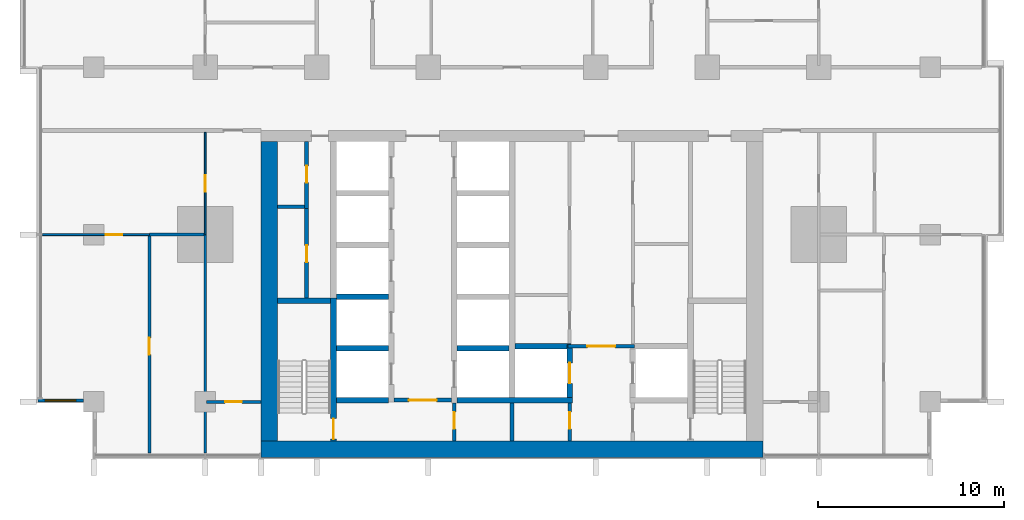
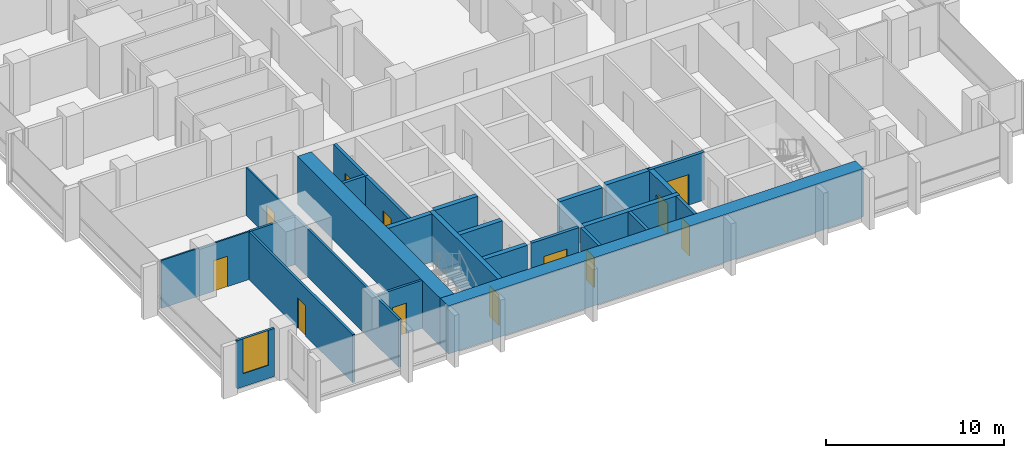
# One storey, part 7 of 18: 26 walls, 12 doors, 1 window, 13 openings.
"""IFC4 building model written with IfcOpenShell, lengths in metres."""

from ifc_helpers import new_model, si_unit, direction, frame, frame_2d, origin, place, context, subcontext, project, spatial, rectangle, extrude, material, layer, layer_set, type_object, element, fill, save


model = new_model("IFC4")

# Units and contexts
model_context = context("Model", 3, precision=1e-05, world=origin(), true_north=direction((0.0, 1.0)))
body_context = subcontext(model_context, "Body", "Model", "MODEL_VIEW")
ifc_project = project(units=[si_unit("LENGTHUNIT", "METRE"), si_unit("AREAUNIT", "SQUARE_METRE"), si_unit("VOLUMEUNIT", "CUBIC_METRE"), si_unit("PLANEANGLEUNIT", "RADIAN"), si_unit("MASSUNIT", "GRAM", prefix="KILO")], contexts=[model_context])

# Site, building, storey
site_placement = place(None, origin())
site = spatial("IfcSite", under=ifc_project, at=site_placement, CompositionType="ELEMENT")
building_placement = place(site_placement, origin())
building = spatial("IfcBuilding", under=site, at=building_placement, Name="Finial Court Residences", CompositionType="ELEMENT")
storey_placement = place(building_placement, frame((0.0, 0.0, 68.5)))
storey = spatial("IfcBuildingStorey", under=building, at=storey_placement, Name="L16", CompositionType="ELEMENT", Elevation=68.5)

# Walls
ifc_material_1 = material(Name="Concrete C80/95", Category="concrete")
ifc_layer_1 = layer(ifc_material_1, 0.89990234375)
ifc_layer_set_1 = layer_set([ifc_layer_1], Name="Core outer wall 900 Concrete C80/95")
wall_type_1 = type_object("IfcWallType", Name="Core outer wall 900 Concrete C80/95", PredefinedType="SHEAR", material=ifc_layer_set_1)
wall_1_placement = place(storey_placement, frame((-13.050048828125, -24.60009765625, 0.0), z_axis=(0.0, 0.0, 1.0), x_axis=(0.0, 1.0, 0.0)))
element("IfcWall", 1, at=wall_1_placement, inside=storey, type_object=wall_type_1, Name="Core outer wall L16-03", PredefinedType="SHEAR", context=body_context, shape_type="SweptSolid", body=[
    extrude(rectangle(XDim=16.10009765625, YDim=0.89990234375, at=frame_2d((8.050048828125, 0.0))), origin(), (0.0, 0.0, 1.0), 3.300048828125),
])
ifc_layer_2 = layer(ifc_material_1, 0.89990234375)
ifc_layer_set_2 = layer_set([ifc_layer_2], Name="Core south facade wall 900 Concrete C80/95")
wall_type_2 = type_object("IfcWallType", Name="Core south facade wall 900 Concrete C80/95", PredefinedType="SHEAR", material=ifc_layer_set_2)
wall_2_placement = place(storey_placement, frame((-13.5, -25.050048828125, 0.0), z_axis=(0.0, 0.0, 1.0), x_axis=(1.0, 0.0, 0.0)))
element("IfcWall", 2, at=wall_2_placement, inside=storey, type_object=wall_type_2, Name="Core outer wall L16-01", PredefinedType="SHEAR", context=body_context, shape_type="SweptSolid", body=[
    extrude(rectangle(XDim=27.0, YDim=0.89990234375, at=frame_2d((13.5, 0.0))), origin(), (0.0, 0.0, 1.0), 3.300048828125),
])

# Wall, opening, door
ifc_material_2 = material(Name="Fire-rated gypsum board partition")
ifc_layer_3 = layer(ifc_material_2, 0.199951171875)
ifc_layer_set_3 = layer_set([ifc_layer_3], Name="Firefighting lobby wall 200 EI 120")
wall_type_3 = type_object("IfcWallType", Name="Firefighting lobby wall 200 EI 120", PredefinedType="PARTITIONING", material=ifc_layer_set_3)
wall_3_placement = place(storey_placement, frame((6.574951171875, -19.5, 0.0), z_axis=(0.0, 0.0, 1.0), x_axis=(-1.0, 0.0, 0.0)))
wall_3 = element("IfcWall", 3, at=wall_3_placement, inside=storey, type_object=wall_type_3, Name="Core partition L16-08", PredefinedType="PARTITIONING", context=body_context, shape_type="SweptSolid", body=[
    extrude(rectangle(XDim=3.550048828125, YDim=0.199951171875, at=frame_2d((1.77490234375, 0.0))), origin(), (0.0, 0.0, 1.0), 3.300048828125),
])
opening_1_placement = place(wall_3_placement, frame((1.02490234375, 0.0, 0.0)))
opening_1 = element("IfcOpeningElement", 4, at=opening_1_placement, cuts=wall_3, Name="Opening L16-C02", PredefinedType="OPENING", context=body_context, shape_type="SweptSolid", body=[
    extrude(rectangle(XDim=1.5, YDim=2.10009765625, at=frame_2d((0.75, 1.050048828125))), frame((0.0, 0.10986328125, 0.0), z_axis=(0.0, -1.0, 0.0), x_axis=(1.0, 0.0, 0.0)), (0.0, 0.0, 1.0), 0.219970703125),
])
ifc_material_3 = material(Name="Steel fire door", Category="steel")
door_type_1 = type_object("IfcDoorType", Name="Firefighting lobby door 1500 x 2100 EI 90", OperationType="DOUBLE_DOOR_SINGLE_SWING", PredefinedType="DOOR", material=ifc_material_3)
door_1_placement = place(opening_1_placement, origin())
door_1 = element("IfcDoor", 5, at=door_1_placement, inside=storey, type_object=door_type_1, Name="Firefighting lobby door L16-C02", OperationType="DOUBLE_DOOR_SINGLE_SWING", OverallHeight=2.10009765625, OverallWidth=1.5, PredefinedType="DOOR", context=body_context, shape_type="SweptSolid", body=[
    extrude(rectangle(XDim=1.5, YDim=2.10009765625, at=frame_2d((0.75, 1.050048828125))), frame((0.0, 0.02490234375, 0.0), z_axis=(0.0, -1.0, 0.0), x_axis=(1.0, 0.0, 0.0)), (0.0, 0.0, 1.0), 0.050048828125),
])
fill(opening_1, door_1)

wall_4_placement = place(storey_placement, frame((3.10009765625, -24.60009765625, 0.0), z_axis=(0.0, 0.0, 1.0), x_axis=(0.0, 1.0, 0.0)))
wall_4 = element("IfcWall", 6, at=wall_4_placement, inside=storey, type_object=wall_type_3, Name="Core partition L16-30", PredefinedType="PARTITIONING", context=body_context, shape_type="SweptSolid", body=[
    extrude(rectangle(XDim=2.050048828125, YDim=0.199951171875, at=frame_2d((1.02490234375, 0.0))), origin(), (0.0, 0.0, 1.0), 3.300048828125),
])
opening_2_placement = place(wall_4_placement, frame((0.64990234375, 0.0, 0.0)))
opening_2 = element("IfcOpeningElement", 7, at=opening_2_placement, cuts=wall_4, Name="Opening L16-C06", PredefinedType="OPENING", context=body_context, shape_type="SweptSolid", body=[
    extrude(rectangle(XDim=0.89990234375, YDim=2.10009765625, at=frame_2d((0.449951171875, 1.050048828125))), frame((0.0, 0.10986328125, 0.0), z_axis=(0.0, -1.0, 0.0), x_axis=(1.0, 0.0, 0.0)), (0.0, 0.0, 1.0), 0.219970703125),
])
door_type_2 = type_object("IfcDoorType", Name="Riser room door 900 x 2100 EI 90", OperationType="NOTDEFINED", PredefinedType="DOOR", material=ifc_material_3)
door_2_placement = place(opening_2_placement, origin())
door_2 = element("IfcDoor", 8, at=door_2_placement, inside=storey, type_object=door_type_2, Name="Riser room door L16-C06", OperationType="SINGLE_SWING_LEFT", OverallHeight=2.10009765625, OverallWidth=0.89990234375, PredefinedType="DOOR", context=body_context, shape_type="SweptSolid", body=[
    extrude(rectangle(XDim=0.89990234375, YDim=2.10009765625, at=frame_2d((0.449951171875, 1.050048828125))), frame((0.0, 0.02490234375, 0.0), z_axis=(0.0, -1.0, 0.0), x_axis=(1.0, 0.0, 0.0)), (0.0, 0.0, 1.0), 0.050048828125),
])
fill(opening_2, door_2)

ifc_material_4 = material(Name="Gypsum board")
ifc_layer_4 = layer(ifc_material_4, 0.012451171875)
ifc_material_5 = material(Name="Mineral wool in light-gauge frame")
ifc_layer_5 = layer(ifc_material_5, 0.074951171875)
ifc_layer_6 = layer(ifc_material_4, 0.012451171875)
ifc_layer_set_4 = layer_set([ifc_layer_4, ifc_layer_5, ifc_layer_6], Name="Gypsum board partition 100")
wall_type_4 = type_object("IfcWallType", Name="Gypsum board partition 100", PredefinedType="PARTITIONING", material=ifc_layer_set_4)
wall_5_placement = place(storey_placement, frame((-25.25, -13.5, 0.0), z_axis=(0.0, 0.0, 1.0), x_axis=(1.0, 0.0, 0.0)))
wall_5 = element("IfcWall", 9, at=wall_5_placement, inside=storey, type_object=wall_type_4, Name="Partition L16-003", PredefinedType="PARTITIONING", context=body_context, shape_type="SweptSolid", body=[
    extrude(rectangle(XDim=5.75, YDim=0.10009765625, at=frame_2d((2.875, 0.0))), origin(), (0.0, 0.0, 1.0), 3.300048828125),
])
opening_3_placement = place(wall_5_placement, frame((3.39990234375, 0.0, 0.0)))
opening_3 = element("IfcOpeningElement", 10, at=opening_3_placement, cuts=wall_5, Name="Opening L16-D003", PredefinedType="OPENING", context=body_context, shape_type="SweptSolid", body=[
    extrude(rectangle(XDim=0.89990234375, YDim=2.10009765625, at=frame_2d((0.449951171875, 1.050048828125))), frame((0.0, 0.06005859375, 0.0), z_axis=(0.0, -1.0, 0.0), x_axis=(1.0, 0.0, 0.0)), (0.0, 0.0, 1.0), 0.1201171875),
])
ifc_material_6 = material(Name="Timber door leaf in timber frame", Category="wood")
door_type_3 = type_object("IfcDoorType", Name="Door set 900 x 2100", OperationType="SINGLE_SWING_LEFT", PredefinedType="DOOR", material=ifc_material_6)
door_3_placement = place(opening_3_placement, origin())
door_3 = element("IfcDoor", 11, at=door_3_placement, inside=storey, type_object=door_type_3, Name="Door L16-D003", OperationType="SINGLE_SWING_RIGHT", OverallHeight=2.10009765625, OverallWidth=0.89990234375, PredefinedType="DOOR", context=body_context, shape_type="SweptSolid", body=[
    extrude(rectangle(XDim=0.89990234375, YDim=2.10009765625, at=frame_2d((0.449951171875, 1.050048828125))), frame((0.0, 0.02490234375, 0.0), z_axis=(0.0, -1.0, 0.0), x_axis=(1.0, 0.0, 0.0)), (0.0, 0.0, 1.0), 0.050048828125),
])
fill(opening_3, door_3)

wall_6_placement = place(storey_placement, frame((-16.5, -13.5, 0.0), z_axis=(0.0, 0.0, 1.0), x_axis=(0.0, 1.0, 0.0)))
wall_6 = element("IfcWall", 12, at=wall_6_placement, inside=storey, type_object=wall_type_4, Name="Partition L16-057", PredefinedType="PARTITIONING", context=body_context, shape_type="SweptSolid", body=[
    extrude(rectangle(XDim=5.5, YDim=0.10009765625, at=frame_2d((2.75, 0.0))), origin(), (0.0, 0.0, 1.0), 3.300048828125),
])
opening_4_placement = place(wall_6_placement, frame((2.300048828125, 0.0, 0.0)))
opening_4 = element("IfcOpeningElement", 13, at=opening_4_placement, cuts=wall_6, Name="Opening L16-D034", PredefinedType="OPENING", context=body_context, shape_type="SweptSolid", body=[
    extrude(rectangle(XDim=0.89990234375, YDim=2.10009765625, at=frame_2d((0.449951171875, 1.050048828125))), frame((0.0, 0.06005859375, 0.0), z_axis=(0.0, -1.0, 0.0), x_axis=(1.0, 0.0, 0.0)), (0.0, 0.0, 1.0), 0.1201171875),
])
door_4_placement = place(opening_4_placement, origin())
door_4 = element("IfcDoor", 14, at=door_4_placement, inside=storey, type_object=door_type_3, Name="Door L16-D034", OperationType="SINGLE_SWING_LEFT", OverallHeight=2.10009765625, OverallWidth=0.89990234375, PredefinedType="DOOR", context=body_context, shape_type="SweptSolid", body=[
    extrude(rectangle(XDim=0.89990234375, YDim=2.10009765625, at=frame_2d((0.449951171875, 1.050048828125))), frame((0.0, 0.02490234375, 0.0), z_axis=(0.0, -1.0, 0.0), x_axis=(1.0, 0.0, 0.0)), (0.0, 0.0, 1.0), 0.050048828125),
])
fill(opening_4, door_4)

ifc_material_7 = material(Name="Moisture-resistant gypsum board")
ifc_layer_7 = layer(ifc_material_7, 0.012451171875)
ifc_layer_8 = layer(ifc_material_5, 0.125)
ifc_layer_9 = layer(ifc_material_7, 0.012451171875)
ifc_layer_set_5 = layer_set([ifc_layer_7, ifc_layer_8, ifc_layer_9], Name="Gypsum board wet-area partition 150")
wall_type_5 = type_object("IfcWallType", Name="Gypsum board wet-area partition 150", PredefinedType="PARTITIONING", material=ifc_layer_set_5)
wall_7_placement = place(storey_placement, frame((-16.425048828125, -22.5, 0.0), z_axis=(0.0, 0.0, 1.0), x_axis=(1.0, 0.0, 0.0)))
wall_7 = element("IfcWall", 15, at=wall_7_placement, inside=storey, type_object=wall_type_5, Name="Partition L16-000", PredefinedType="PARTITIONING", context=body_context, shape_type="SweptSolid", body=[
    extrude(rectangle(XDim=2.925048828125, YDim=0.14990234375, at=frame_2d((1.46240234375, 0.0))), origin(), (0.0, 0.0, 1.0), 3.300048828125),
])
opening_5_placement = place(wall_7_placement, frame((1.0, 0.0, 0.0)))
opening_5 = element("IfcOpeningElement", 16, at=opening_5_placement, cuts=wall_7, Name="Opening L16-D001", PredefinedType="OPENING", context=body_context, shape_type="SweptSolid", body=[
    extrude(rectangle(XDim=0.89990234375, YDim=2.10009765625, at=frame_2d((0.449951171875, 1.050048828125))), frame((0.0, 0.0849609375, 0.0), z_axis=(0.0, -1.0, 0.0), x_axis=(1.0, 0.0, 0.0)), (0.0, 0.0, 1.0), 0.169921875),
])
door_5_placement = place(opening_5_placement, origin())
door_5 = element("IfcDoor", 17, at=door_5_placement, inside=storey, type_object=door_type_3, Name="Door L16-D001", OperationType="SINGLE_SWING_LEFT", OverallHeight=2.10009765625, OverallWidth=0.89990234375, PredefinedType="DOOR", context=body_context, shape_type="SweptSolid", body=[
    extrude(rectangle(XDim=0.89990234375, YDim=2.10009765625, at=frame_2d((0.449951171875, 1.050048828125))), frame((0.0, 0.02490234375, 0.0), z_axis=(0.0, -1.0, 0.0), x_axis=(1.0, 0.0, 0.0)), (0.0, 0.0, 1.0), 0.050048828125),
])
fill(opening_5, door_5)

# Wall
wall_8_placement = place(storey_placement, frame((-19.5, -13.5, 0.0), z_axis=(0.0, 0.0, 1.0), x_axis=(1.0, 0.0, 0.0)))
element("IfcWall", 18, at=wall_8_placement, inside=storey, type_object=wall_type_5, Name="Partition L16-005", PredefinedType="PARTITIONING", context=body_context, shape_type="SweptSolid", body=[
    extrude(rectangle(XDim=2.925048828125, YDim=0.14990234375, at=frame_2d((1.46240234375, 0.0))), origin(), (0.0, 0.0, 1.0), 3.300048828125),
])

# Wall, opening, door
wall_9_placement = place(storey_placement, frame((-19.5, -25.25, 0.0), z_axis=(0.0, 0.0, 1.0), x_axis=(0.0, 1.0, 0.0)))
wall_9 = element("IfcWall", 19, at=wall_9_placement, inside=storey, type_object=wall_type_5, Name="Partition L16-055", PredefinedType="PARTITIONING", context=body_context, shape_type="SweptSolid", body=[
    extrude(rectangle(XDim=11.675048828125, YDim=0.14990234375, at=frame_2d((5.83740234375, 0.0))), origin(), (0.0, 0.0, 1.0), 3.300048828125),
])
opening_6_placement = place(wall_9_placement, frame((5.300048828125, 0.0, 0.0)))
opening_6 = element("IfcOpeningElement", 20, at=opening_6_placement, cuts=wall_9, Name="Opening L16-D032", PredefinedType="OPENING", context=body_context, shape_type="SweptSolid", body=[
    extrude(rectangle(XDim=0.89990234375, YDim=2.10009765625, at=frame_2d((0.449951171875, 1.050048828125))), frame((0.0, 0.0849609375, 0.0), z_axis=(0.0, -1.0, 0.0), x_axis=(1.0, 0.0, 0.0)), (0.0, 0.0, 1.0), 0.169921875),
])
door_6_placement = place(opening_6_placement, origin())
door_6 = element("IfcDoor", 21, at=door_6_placement, inside=storey, type_object=door_type_3, Name="Door L16-D032", OperationType="SINGLE_SWING_LEFT", OverallHeight=2.10009765625, OverallWidth=0.89990234375, PredefinedType="DOOR", context=body_context, shape_type="SweptSolid", body=[
    extrude(rectangle(XDim=0.89990234375, YDim=2.10009765625, at=frame_2d((0.449951171875, 1.050048828125))), frame((0.0, 0.02490234375, 0.0), z_axis=(0.0, -1.0, 0.0), x_axis=(1.0, 0.0, 0.0)), (0.0, 0.0, 1.0), 0.050048828125),
])
fill(opening_6, door_6)

# Walls
wall_10_placement = place(storey_placement, frame((-16.5, -25.25, 0.0), z_axis=(0.0, 0.0, 1.0), x_axis=(0.0, 1.0, 0.0)))
element("IfcWall", 22, at=wall_10_placement, inside=storey, type_object=wall_type_5, Name="Partition L16-063", PredefinedType="PARTITIONING", context=body_context, shape_type="SweptSolid", body=[
    extrude(rectangle(XDim=11.75, YDim=0.14990234375, at=frame_2d((5.875, 0.0))), origin(), (0.0, 0.0, 1.0), 3.300048828125),
])
ifc_layer_10 = layer(ifc_material_1, 0.300048828125)
ifc_layer_set_6 = layer_set([ifc_layer_10], Name="Lift shaft and stair wall 300 Concrete C80/95")
wall_type_6 = type_object("IfcWallType", Name="Lift shaft and stair wall 300 Concrete C80/95", PredefinedType="SHEAR", material=ifc_layer_set_6)
wall_11_placement = place(storey_placement, frame((-9.449951171875, -22.39990234375, 0.0), z_axis=(0.0, 0.0, 1.0), x_axis=(1.0, 0.0, 0.0)))
element("IfcWall", 23, at=wall_11_placement, inside=storey, type_object=wall_type_6, Name="Core wall L16-01", PredefinedType="SHEAR", context=body_context, shape_type="SweptSolid", body=[
    extrude(rectangle(XDim=2.800048828125, YDim=0.300048828125, at=frame_2d((1.39990234375, 0.0))), origin(), (0.0, 0.0, 1.0), 3.300048828125),
])
wall_12_placement = place(storey_placement, frame((-2.949951171875, -22.39990234375, 0.0), z_axis=(0.0, 0.0, 1.0), x_axis=(1.0, 0.0, 0.0)))
element("IfcWall", 24, at=wall_12_placement, inside=storey, type_object=wall_type_6, Name="Core wall L16-03", PredefinedType="SHEAR", context=body_context, shape_type="SweptSolid", body=[
    extrude(rectangle(XDim=6.199951171875, YDim=0.300048828125, at=frame_2d((3.10009765625, 0.0))), origin(), (0.0, 0.0, 1.0), 3.300048828125),
])
for number, where, z_axis, x_axis, name in (
    (25, (-9.449951171875, -19.6201171875, 0.0), (0.0, 0.0, 1.0), (1.0, 0.0, 0.0), "Core wall L16-05"),
    (26, (-2.949951171875, -19.6201171875, 0.0), (0.0, 0.0, 1.0), (1.0, 0.0, 0.0), "Core wall L16-06"),
):
    element("IfcWall", number, at=place(storey_placement, frame(where, z_axis=z_axis, x_axis=x_axis)), inside=storey, type_object=wall_type_6, Name=name, PredefinedType="SHEAR", context=body_context, shape_type="SweptSolid", body=[
        extrude(rectangle(XDim=2.800048828125, YDim=0.300048828125, at=frame_2d((1.39990234375, 0.0))), origin(), (0.0, 0.0, 1.0), 3.300048828125),
    ])
wall_13_placement = place(storey_placement, frame((0.14990234375, -19.5, 0.0), z_axis=(0.0, 0.0, 1.0), x_axis=(1.0, 0.0, 0.0)))
element("IfcWall", 27, at=wall_13_placement, inside=storey, type_object=wall_type_6, Name="Core wall L16-07", PredefinedType="SHEAR", context=body_context, shape_type="SweptSolid", body=[
    extrude(rectangle(XDim=3.025146484375, YDim=0.300048828125, at=frame_2d((1.5126953125, 0.0))), origin(), (0.0, 0.0, 1.0), 3.300048828125),
])
wall_14_placement = place(storey_placement, frame((-12.60009765625, -17.050048828125, 0.0), z_axis=(0.0, 0.0, 1.0), x_axis=(1.0, 0.0, 0.0)))
element("IfcWall", 28, at=wall_14_placement, inside=storey, type_object=wall_type_6, Name="Core wall L16-10", PredefinedType="SHEAR", context=body_context, shape_type="SweptSolid", body=[
    extrude(rectangle(XDim=2.85009765625, YDim=0.300048828125, at=frame_2d((1.425048828125, 0.0))), origin(), (0.0, 0.0, 1.0), 3.300048828125),
])
wall_15_placement = place(storey_placement, frame((-9.449951171875, -16.840087890625, 0.0), z_axis=(0.0, 0.0, 1.0), x_axis=(1.0, 0.0, 0.0)))
element("IfcWall", 29, at=wall_15_placement, inside=storey, type_object=wall_type_6, Name="Core wall L16-12", PredefinedType="SHEAR", context=body_context, shape_type="SweptSolid", body=[
    extrude(rectangle(XDim=2.800048828125, YDim=0.300048828125, at=frame_2d((1.39990234375, 0.0))), origin(), (0.0, 0.0, 1.0), 3.300048828125),
])

# Wall, opening, door
wall_16_placement = place(storey_placement, frame((-9.60009765625, -24.60009765625, 0.0), z_axis=(0.0, 0.0, 1.0), x_axis=(0.0, 1.0, 0.0)))
wall_16 = element("IfcWall", 30, at=wall_16_placement, inside=storey, type_object=wall_type_6, Name="Core wall L16-23", PredefinedType="SHEAR", context=body_context, shape_type="SweptSolid", body=[
    extrude(rectangle(XDim=7.7001953125, YDim=0.300048828125, at=frame_2d((3.85009765625, 0.0))), origin(), (0.0, 0.0, 1.0), 3.300048828125),
])
opening_7_placement = place(wall_16_placement, frame((0.10009765625, 0.0, 0.0)))
opening_7 = element("IfcOpeningElement", 31, at=opening_7_placement, cuts=wall_16, Name="Opening L16-C16", PredefinedType="OPENING", context=body_context, shape_type="SweptSolid", body=[
    extrude(rectangle(XDim=1.10009765625, YDim=2.10009765625, at=frame_2d((0.550048828125, 1.050048828125))), frame((0.0, 0.159912109375, 0.0), z_axis=(0.0, -1.0, 0.0), x_axis=(1.0, 0.0, 0.0)), (0.0, 0.0, 1.0), 0.320068359375),
])
door_type_4 = type_object("IfcDoorType", Name="Stair door 1100 x 2100 EI 90", OperationType="NOTDEFINED", PredefinedType="DOOR", material=ifc_material_3)
door_7_placement = place(opening_7_placement, origin())
door_7 = element("IfcDoor", 32, at=door_7_placement, inside=storey, type_object=door_type_4, Name="Stair door L16-C16", OperationType="SINGLE_SWING_LEFT", OverallHeight=2.10009765625, OverallWidth=1.10009765625, PredefinedType="DOOR", context=body_context, shape_type="SweptSolid", body=[
    extrude(rectangle(XDim=1.10009765625, YDim=2.10009765625, at=frame_2d((0.550048828125, 1.050048828125))), frame((0.0, 0.02490234375, 0.0), z_axis=(0.0, -1.0, 0.0), x_axis=(1.0, 0.0, 0.0)), (0.0, 0.0, 1.0), 0.050048828125),
])
fill(opening_7, door_7)

wall_17_placement = place(storey_placement, frame((3.10009765625, -22.25, 0.0), z_axis=(0.0, 0.0, 1.0), x_axis=(0.0, 1.0, 0.0)))
wall_17 = element("IfcWall", 33, at=wall_17_placement, inside=storey, type_object=wall_type_6, Name="Core wall L16-31", PredefinedType="SHEAR", context=body_context, shape_type="SweptSolid", body=[
    extrude(rectangle(XDim=2.85009765625, YDim=0.300048828125, at=frame_2d((1.425048828125, 0.0))), origin(), (0.0, 0.0, 1.0), 3.300048828125),
])
opening_8_placement = place(wall_17_placement, frame((0.75, 0.0, 0.0)))
opening_8 = element("IfcOpeningElement", 34, at=opening_8_placement, cuts=wall_17, Name="Opening L16-LD01", PredefinedType="OPENING", context=body_context, shape_type="SweptSolid", body=[
    extrude(rectangle(XDim=1.10009765625, YDim=2.10009765625, at=frame_2d((0.550048828125, 1.050048828125))), frame((0.0, 0.159912109375, 0.0), z_axis=(0.0, -1.0, 0.0), x_axis=(1.0, 0.0, 0.0)), (0.0, 0.0, 1.0), 0.320068359375),
])
ifc_material_8 = material(Name="Stainless steel lift door", Category="steel")
door_type_5 = type_object("IfcDoorType", Name="Lift landing door 1100 x 2100 EI 90", OperationType="DOUBLE_DOOR_SLIDING", PredefinedType="DOOR", material=ifc_material_8)
door_8_placement = place(opening_8_placement, origin())
door_8 = element("IfcDoor", 35, at=door_8_placement, inside=storey, type_object=door_type_5, Name="Lift landing door FF1 L16", OperationType="DOUBLE_DOOR_SLIDING", OverallHeight=2.10009765625, OverallWidth=1.10009765625, PredefinedType="DOOR", context=body_context, shape_type="SweptSolid", body=[
    extrude(rectangle(XDim=1.10009765625, YDim=2.10009765625, at=frame_2d((0.550048828125, 1.050048828125))), frame((0.0, 0.02490234375, 0.0), z_axis=(0.0, -1.0, 0.0), x_axis=(1.0, 0.0, 0.0)), (0.0, 0.0, 1.0), 0.050048828125),
])
fill(opening_8, door_8)

# Wall, opening, window
ifc_material_9 = material(Name="Natural limestone", Category="masonry")
ifc_layer_11 = layer(ifc_material_9, 0.14990234375)
ifc_layer_set_7 = layer_set([ifc_layer_11], Name="Limestone clad wall 150")
wall_type_7 = type_object("IfcWallType", Name="Limestone clad wall 150", PredefinedType="SOLIDWALL", material=ifc_layer_set_7)
wall_18_placement = place(storey_placement, frame((-23.050048828125, -22.425048828125, 0.0), z_axis=(0.0, 0.0, 1.0), x_axis=(-1.0, 0.0, 0.0)))
wall_18 = element("IfcWall", 36, at=wall_18_placement, inside=storey, type_object=wall_type_7, Name="E-L16-NWS15", PredefinedType="SOLIDWALL", context=body_context, shape_type="SweptSolid", body=[
    extrude(rectangle(XDim=2.449951171875, YDim=0.14990234375, at=frame_2d((1.22509765625, 0.0))), origin(), (0.0, 0.0, 1.0), 3.300048828125),
])
opening_9_placement = place(wall_18_placement, frame((0.39990234375, 0.0, 0.89990234375)))
opening_9 = element("IfcOpeningElement", 37, at=opening_9_placement, cuts=wall_18, Name="Opening WE16-02", PredefinedType="OPENING", context=body_context, shape_type="SweptSolid", body=[
    extrude(rectangle(XDim=1.64990234375, YDim=2.39990234375, at=frame_2d((0.824951171875, 1.199951171875))), frame((0.0, 0.0849609375, 0.0), z_axis=(0.0, -1.0, 0.0), x_axis=(1.0, 0.0, 0.0)), (0.0, 0.0, 1.0), 0.169921875),
])
ifc_material_10 = material(Name="Clear low-e glass", Category="glass")
window_type = type_object("IfcWindowType", Name="Corner window 1650 x 2400", PartitioningType="SINGLE_PANEL", PredefinedType="WINDOW", material=ifc_material_10)
window_placement = place(opening_9_placement, origin())
window = element("IfcWindow", 38, at=window_placement, inside=storey, type_object=window_type, Name="E-L16-NWS15-W1", OverallHeight=2.39990234375, OverallWidth=1.64990234375, PartitioningType="SINGLE_PANEL", PredefinedType="WINDOW", context=body_context, shape_type="SweptSolid", body=[
    extrude(rectangle(XDim=1.64990234375, YDim=2.39990234375, at=frame_2d((0.824951171875, 1.199951171875))), frame((0.0, 0.030029296875, 0.0), z_axis=(0.0, -1.0, 0.0), x_axis=(1.0, 0.0, 0.0)), (0.0, 0.0, 1.0), 0.06005859375),
])
fill(opening_9, window)

# Wall
ifc_layer_12 = layer(ifc_material_2, 0.199951171875)
ifc_layer_set_8 = layer_set([ifc_layer_12], Name="Riser room wall 200 EI 120")
wall_type_8 = type_object("IfcWallType", Name="Riser room wall 200 EI 120", PredefinedType="PARTITIONING", material=ifc_layer_set_8)
wall_19_placement = place(storey_placement, frame((-12.60009765625, -12.0, 0.0), z_axis=(0.0, 0.0, 1.0), x_axis=(1.0, 0.0, 0.0)))
element("IfcWall", 39, at=wall_19_placement, inside=storey, type_object=wall_type_8, Name="Core partition L16-18", PredefinedType="PARTITIONING", context=body_context, shape_type="SweptSolid", body=[
    extrude(rectangle(XDim=1.4501953125, YDim=0.199951171875, at=frame_2d((0.72509765625, 0.0))), origin(), (0.0, 0.0, 1.0), 3.300048828125),
])

# Wall, opening, door
wall_20_placement = place(storey_placement, frame((-11.050048828125, -12.10009765625, 0.0), z_axis=(0.0, 0.0, 1.0), x_axis=(0.0, 1.0, 0.0)))
wall_20 = element("IfcWall", 40, at=wall_20_placement, inside=storey, type_object=wall_type_8, Name="Core partition L16-22", PredefinedType="PARTITIONING", context=body_context, shape_type="SweptSolid", body=[
    extrude(rectangle(XDim=3.60009765625, YDim=0.199951171875, at=frame_2d((1.800048828125, 0.0))), origin(), (0.0, 0.0, 1.0), 3.300048828125),
])
opening_10_placement = place(wall_20_placement, frame((1.39990234375, 0.0, 0.0)))
opening_10 = element("IfcOpeningElement", 41, at=opening_10_placement, cuts=wall_20, Name="Opening L16-C07", PredefinedType="OPENING", context=body_context, shape_type="SweptSolid", body=[
    extrude(rectangle(XDim=0.89990234375, YDim=2.10009765625, at=frame_2d((0.449951171875, 1.050048828125))), frame((0.0, 0.10986328125, 0.0), z_axis=(0.0, -1.0, 0.0), x_axis=(1.0, 0.0, 0.0)), (0.0, 0.0, 1.0), 0.219970703125),
])
door_9_placement = place(opening_10_placement, origin())
door_9 = element("IfcDoor", 42, at=door_9_placement, inside=storey, type_object=door_type_2, Name="Riser room door L16-C07", OperationType="SINGLE_SWING_LEFT", OverallHeight=2.10009765625, OverallWidth=0.89990234375, PredefinedType="DOOR", context=body_context, shape_type="SweptSolid", body=[
    extrude(rectangle(XDim=0.89990234375, YDim=2.10009765625, at=frame_2d((0.449951171875, 1.050048828125))), frame((0.0, 0.02490234375, 0.0), z_axis=(0.0, -1.0, 0.0), x_axis=(1.0, 0.0, 0.0)), (0.0, 0.0, 1.0), 0.050048828125),
])
fill(opening_10, door_9)

# Wall
wall_21_placement = place(storey_placement, frame((0.0, -24.60009765625, 0.0), z_axis=(0.0, 0.0, 1.0), x_axis=(0.0, 1.0, 0.0)))
element("IfcWall", 43, at=wall_21_placement, inside=storey, type_object=wall_type_8, Name="Core partition L16-28", PredefinedType="PARTITIONING", context=body_context, shape_type="SweptSolid", body=[
    extrude(rectangle(XDim=2.050048828125, YDim=0.199951171875, at=frame_2d((1.02490234375, 0.0))), origin(), (0.0, 0.0, 1.0), 3.300048828125),
])

# Wall, opening, door
ifc_layer_13 = layer(ifc_material_2, 0.199951171875)
ifc_layer_set_9 = layer_set([ifc_layer_13], Name="Stair passage wall 200 EI 180")
wall_type_9 = type_object("IfcWallType", Name="Stair passage wall 200 EI 180", PredefinedType="PARTITIONING", material=ifc_layer_set_9)
wall_22_placement = place(storey_placement, frame((-3.25, -22.39990234375, 0.0), z_axis=(0.0, 0.0, 1.0), x_axis=(-1.0, 0.0, 0.0)))
wall_22 = element("IfcWall", 44, at=wall_22_placement, inside=storey, type_object=wall_type_9, Name="Core partition L16-02", PredefinedType="PARTITIONING", context=body_context, shape_type="SweptSolid", body=[
    extrude(rectangle(XDim=3.10009765625, YDim=0.199951171875, at=frame_2d((1.550048828125, 0.0))), origin(), (0.0, 0.0, 1.0), 3.300048828125),
])
opening_11_placement = place(wall_22_placement, frame((0.800048828125, 0.0, 0.0)))
opening_11 = element("IfcOpeningElement", 45, at=opening_11_placement, cuts=wall_22, Name="Opening L16-C03", PredefinedType="OPENING", context=body_context, shape_type="SweptSolid", body=[
    extrude(rectangle(XDim=1.5, YDim=2.10009765625, at=frame_2d((0.75, 1.050048828125))), frame((0.0, 0.10986328125, 0.0), z_axis=(0.0, -1.0, 0.0), x_axis=(1.0, 0.0, 0.0)), (0.0, 0.0, 1.0), 0.219970703125),
])
door_type_6 = type_object("IfcDoorType", Name="Lift lobby door 1500 x 2100 EI 60", OperationType="DOUBLE_DOOR_SINGLE_SWING", PredefinedType="DOOR", material=ifc_material_3)
door_10_placement = place(opening_11_placement, origin())
door_10 = element("IfcDoor", 46, at=door_10_placement, inside=storey, type_object=door_type_6, Name="Lift lobby door L16-C03", OperationType="DOUBLE_DOOR_SINGLE_SWING", OverallHeight=2.10009765625, OverallWidth=1.5, PredefinedType="DOOR", context=body_context, shape_type="SweptSolid", body=[
    extrude(rectangle(XDim=1.5, YDim=2.10009765625, at=frame_2d((0.75, 1.050048828125))), frame((0.0, 0.02490234375, 0.0), z_axis=(0.0, -1.0, 0.0), x_axis=(1.0, 0.0, 0.0)), (0.0, 0.0, 1.0), 0.050048828125),
])
fill(opening_11, door_10)

wall_23_placement = place(storey_placement, frame((-11.050048828125, -16.89990234375, 0.0), z_axis=(0.0, 0.0, 1.0), x_axis=(0.0, 1.0, 0.0)))
wall_23 = element("IfcWall", 47, at=wall_23_placement, inside=storey, type_object=wall_type_9, Name="Core partition L16-21", PredefinedType="PARTITIONING", context=body_context, shape_type="SweptSolid", body=[
    extrude(rectangle(XDim=5.0, YDim=0.199951171875, at=frame_2d((2.5, 0.0))), origin(), (0.0, 0.0, 1.0), 3.300048828125),
])
opening_12_placement = place(wall_23_placement, frame((1.925048828125, 0.0, 0.0)))
opening_12 = element("IfcOpeningElement", 48, at=opening_12_placement, cuts=wall_23, Name="Opening L16-C11", PredefinedType="OPENING", context=body_context, shape_type="SweptSolid", body=[
    extrude(rectangle(XDim=0.89990234375, YDim=2.10009765625, at=frame_2d((0.449951171875, 1.050048828125))), frame((0.0, 0.10986328125, 0.0), z_axis=(0.0, -1.0, 0.0), x_axis=(1.0, 0.0, 0.0)), (0.0, 0.0, 1.0), 0.219970703125),
])
door_type_7 = type_object("IfcDoorType", Name="Core room door 900 x 2100 EI 60", OperationType="NOTDEFINED", PredefinedType="DOOR", material=ifc_material_3)
door_11_placement = place(opening_12_placement, origin())
door_11 = element("IfcDoor", 49, at=door_11_placement, inside=storey, type_object=door_type_7, Name="Core room door L16-C11", OperationType="SINGLE_SWING_LEFT", OverallHeight=2.10009765625, OverallWidth=0.89990234375, PredefinedType="DOOR", context=body_context, shape_type="SweptSolid", body=[
    extrude(rectangle(XDim=0.89990234375, YDim=2.10009765625, at=frame_2d((0.449951171875, 1.050048828125))), frame((0.0, 0.02490234375, 0.0), z_axis=(0.0, -1.0, 0.0), x_axis=(1.0, 0.0, 0.0)), (0.0, 0.0, 1.0), 0.050048828125),
])
fill(opening_12, door_11)

wall_24_placement = place(storey_placement, frame((-3.10009765625, -22.550048828125, 0.0), z_axis=(0.0, 0.0, 1.0), x_axis=(0.0, -1.0, 0.0)))
wall_24 = element("IfcWall", 50, at=wall_24_placement, inside=storey, type_object=wall_type_9, Name="Core partition L16-26", PredefinedType="PARTITIONING", context=body_context, shape_type="SweptSolid", body=[
    extrude(rectangle(XDim=2.050048828125, YDim=0.199951171875, at=frame_2d((1.02490234375, 0.0))), origin(), (0.0, 0.0, 1.0), 3.300048828125),
])
opening_13_placement = place(wall_24_placement, frame((0.5, 0.0, 0.0)))
opening_13 = element("IfcOpeningElement", 51, at=opening_13_placement, cuts=wall_24, Name="Opening L16-C10", PredefinedType="OPENING", context=body_context, shape_type="SweptSolid", body=[
    extrude(rectangle(XDim=0.89990234375, YDim=2.10009765625, at=frame_2d((0.449951171875, 1.050048828125))), frame((0.0, 0.10986328125, 0.0), z_axis=(0.0, -1.0, 0.0), x_axis=(1.0, 0.0, 0.0)), (0.0, 0.0, 1.0), 0.219970703125),
])
door_12_placement = place(opening_13_placement, origin())
door_12 = element("IfcDoor", 52, at=door_12_placement, inside=storey, type_object=door_type_7, Name="Core room door L16-C10", OperationType="SINGLE_SWING_RIGHT", OverallHeight=2.10009765625, OverallWidth=0.89990234375, PredefinedType="DOOR", context=body_context, shape_type="SweptSolid", body=[
    extrude(rectangle(XDim=0.89990234375, YDim=2.10009765625, at=frame_2d((0.449951171875, 1.050048828125))), frame((0.0, 0.02490234375, 0.0), z_axis=(0.0, -1.0, 0.0), x_axis=(1.0, 0.0, 0.0)), (0.0, 0.0, 1.0), 0.050048828125),
])
fill(opening_13, door_12)

save(model, "model.ifc")
